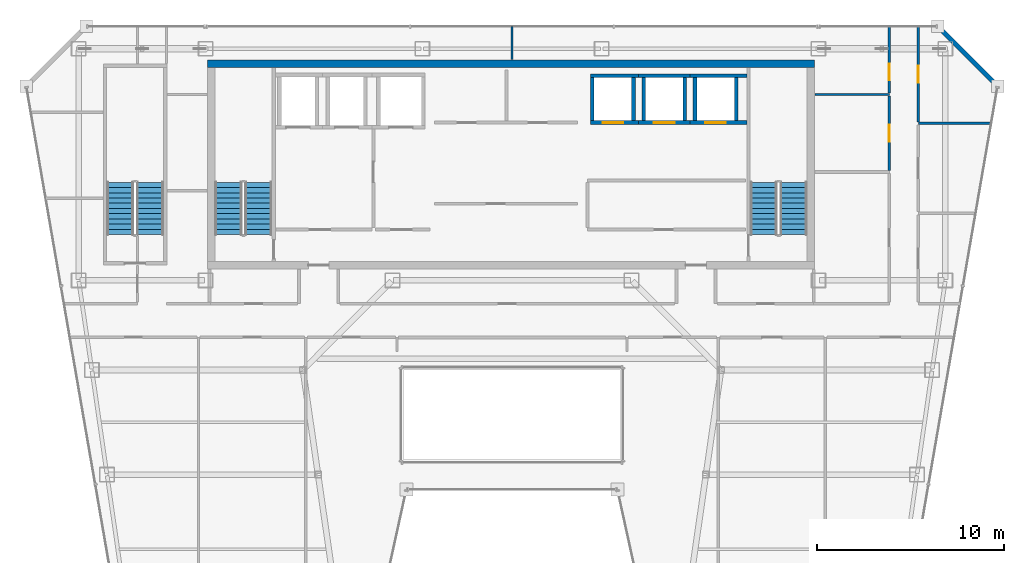
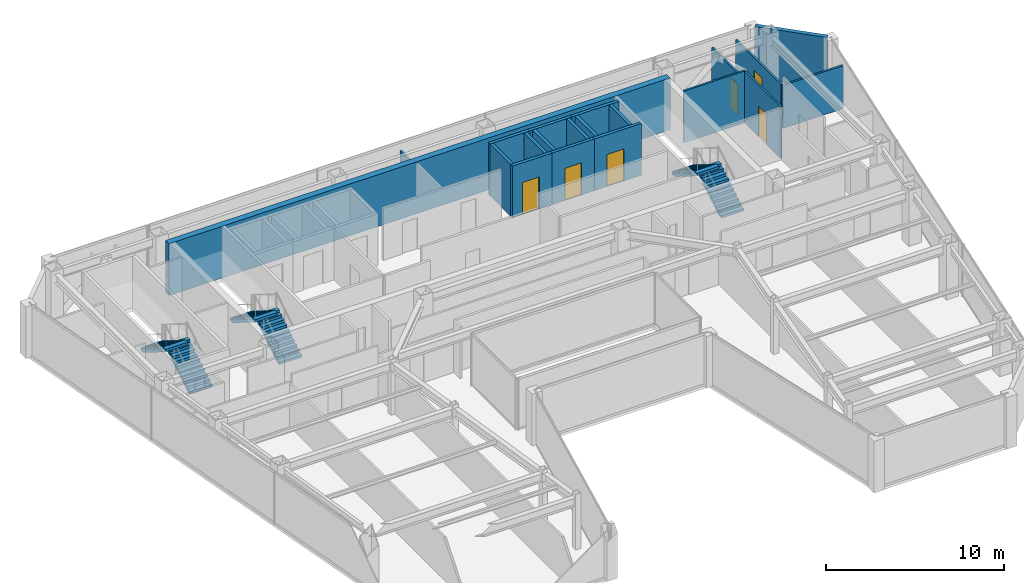
# One storey, part 28 of 32: 20 walls, 6 doors, 6 stair flights, 6 openings, 3 elements without a shape of their own.
"""IFC4 building model written with IfcOpenShell, lengths in metres."""

import ifcopenshell
import ifcopenshell.guid

model = None  # the IFC model being written
_history = None  # IfcOwnerHistory: only IFC2X3 demands one
_inside = {}  # id of a spatial element -> (the spatial element, [elements in it])
_under = {}  # id of a project, library or spatial element -> (it, [spatial elements below it])
_declared = {}  # id of a project -> (the project, [libraries it declares])
_typed = {}  # id of a type object -> (the type object, [elements of that type])
_made_of = {}  # id of a material, layer set ... -> (it, [elements and type objects made of it])


def new_model(schema):
    """Start an empty IFC model of exactly this schema.

    Asked for "IFC4X3", IfcOpenShell would pick the latest addendum, in which some entities
    have other attributes; the version numbers below select the first issue.
    IFC2X3 requires an IfcOwnerHistory on every rooted entity: one is made here for all.
    """
    global model, _history
    if schema == "IFC4X3":
        model = ifcopenshell.file(schema_version=(4, 3, 0, 0))
    else:
        model = ifcopenshell.file(schema=schema)
    _inside.clear()
    _under.clear()
    _declared.clear()
    _typed.clear()
    _made_of.clear()
    _history = None
    if model.schema == "IFC2X3":
        org = make("IfcOrganization", Name="unknown")
        user = make(
            "IfcPersonAndOrganization",
            ThePerson=make("IfcPerson", FamilyName="unknown"),
            TheOrganization=org,
        )
        app = make(
            "IfcApplication",
            ApplicationDeveloper=org,
            Version="unknown",
            ApplicationFullName="unknown",
            ApplicationIdentifier="unknown",
        )
        _history = make(
            "IfcOwnerHistory",
            OwningUser=user,
            OwningApplication=app,
            ChangeAction="ADDED",
            CreationDate=0,
        )
    return model


def make(cls, **values):
    """One entity of the class cls with the attributes given. An attribute that is None is left unset."""
    return model.create_entity(
        cls, **{name: value for name, value in values.items() if value is not None}
    )


def rooted(cls, **values):
    """An entity with a GlobalId (a new one), such as an element, a storey or a relation."""
    return make(cls, GlobalId=ifcopenshell.guid.new(), OwnerHistory=_history, **values)


def si_unit(unit_type, name, prefix=None):
    """IfcSIUnit, for example si_unit("LENGTHUNIT", "METRE", prefix="MILLI")."""
    return make("IfcSIUnit", UnitType=unit_type, Prefix=prefix, Name=name)


def assignment(units):
    """IfcUnitAssignment: the units of a project."""
    return None if units is None else make("IfcUnitAssignment", Units=units)


def point(xyz):
    """IfcCartesianPoint."""
    return None if xyz is None else make("IfcCartesianPoint", Coordinates=xyz)


def direction(xyz):
    """IfcDirection."""
    return None if xyz is None else make("IfcDirection", DirectionRatios=xyz)


def frame(location, z_axis=None, x_axis=None):
    """IfcAxis2Placement3D, a coordinate frame: its origin and axes. An axis left out is left unset."""
    return make(
        "IfcAxis2Placement3D",
        Location=point(location),
        Axis=direction(z_axis),
        RefDirection=direction(x_axis),
    )


def frame_2d(location, x_axis=None):
    """IfcAxis2Placement2D, a coordinate frame in the plane: its origin and x axis."""
    return make(
        "IfcAxis2Placement2D", Location=point(location), RefDirection=direction(x_axis)
    )


def origin():
    """The frame at (0, 0, 0) with its axes left unset."""
    return frame((0.0, 0.0, 0.0))


def place(relative_to, where):
    """IfcLocalPlacement: puts the frame where relative to a parent placement (None: the world)."""
    return make(
        "IfcLocalPlacement", PlacementRelTo=relative_to, RelativePlacement=where
    )


def context(
    kind, dimensions, precision=None, world=None, true_north=None, identifier=None
):
    """IfcGeometricRepresentationContext, for example the 3D "Model" context."""
    return make(
        "IfcGeometricRepresentationContext",
        ContextIdentifier=identifier,
        ContextType=kind,
        CoordinateSpaceDimension=dimensions,
        Precision=precision,
        WorldCoordinateSystem=world,
        TrueNorth=true_north,
    )


def subcontext(parent, identifier, kind, view, scale=None):
    """IfcGeometricRepresentationSubContext, for example "Body" below "Model"."""
    return make(
        "IfcGeometricRepresentationSubContext",
        ContextIdentifier=identifier,
        ContextType=kind,
        ParentContext=parent,
        TargetScale=scale,
        TargetView=view,
    )


def project(units=None, contexts=None):
    """IfcProject with its units and contexts."""
    return rooted(
        "IfcProject",
        Name="project",
        RepresentationContexts=contexts,
        UnitsInContext=assignment(units),
    )


def spatial(cls, under=None, at=None, **own):
    """A site, building, storey or space (cls), placed at a placement, below another one or the project."""
    s = rooted(cls, ObjectPlacement=at, **own)
    if under is not None:
        _under.setdefault(under.id(), (under, []))[1].append(s)
    return s


def polyline(points):
    """IfcPolyline through the points."""
    return make("IfcPolyline", Points=[point(p) for p in points])


def profile(cls, at=None, kind="AREA", **sizes):
    """A parametric profile (cls). Its sizes go by their IFC names, for example OverallWidth=200.0."""
    return make(cls, ProfileType=kind, Position=at, **sizes)


def rectangle(**sizes):
    """IfcRectangleProfileDef."""
    return profile("IfcRectangleProfileDef", **sizes)


def outline(outer, holes=None, kind="AREA"):
    """IfcArbitraryClosedProfileDef: a profile drawn as a closed curve; with holes, ...WithVoids."""
    if holes is None:
        return make("IfcArbitraryClosedProfileDef", ProfileType=kind, OuterCurve=outer)
    return make(
        "IfcArbitraryProfileDefWithVoids",
        ProfileType=kind,
        OuterCurve=outer,
        InnerCurves=holes,
    )


def extrude(swept, where, along, depth):
    """IfcExtrudedAreaSolid: the profile swept, set in the frame where, extruded along a direction by depth."""
    return make(
        "IfcExtrudedAreaSolid",
        SweptArea=swept,
        Position=where,
        ExtrudedDirection=direction(along),
        Depth=depth,
    )


def shape(context_of_items, identifier, shape_type, items):
    """IfcShapeRepresentation: the items that make up one representation, for example the "Body"."""
    return make(
        "IfcShapeRepresentation",
        ContextOfItems=context_of_items,
        RepresentationIdentifier=identifier,
        RepresentationType=shape_type,
        Items=items,
    )


def material(Name=None, Category=None):
    """IfcMaterial."""
    return make("IfcMaterial", Name=Name, Category=Category)


def layer(
    of_material, thickness, ventilated=None, Name=None, Category=None, Priority=None
):
    """IfcMaterialLayer: one layer of a wall or slab, of a material (None: an air gap)."""
    return make(
        "IfcMaterialLayer",
        Material=of_material,
        LayerThickness=thickness,
        IsVentilated=ventilated,
        Name=Name,
        Category=Category,
        Priority=Priority,
    )


def layer_set(layers, Name=None):
    """IfcMaterialLayerSet."""
    return make("IfcMaterialLayerSet", MaterialLayers=layers, LayerSetName=Name)


def made_of(thing, what):
    """Note that an element or type object is made of a material, layer set ...; save() writes the relation."""
    if what is not None:
        _made_of.setdefault(what.id(), (what, []))[1].append(thing)
    return thing


def type_object(cls, material=None, **own):
    """A type object (cls), such as IfcWallType, which elements share."""
    return made_of(rooted(cls, **own), material)


def element(
    cls,
    number,
    at=None,
    inside=None,
    cuts=None,
    type_object=None,
    material=None,
    context=None,
    identifier="Body",
    shape_type=None,
    held_by="IfcProductDefinitionShape",
    body=None,
    shapes=None,
    **own,
):
    """One element of the class cls, such as IfcWall. Its Tag is "e" and its number.

    at: its placement. inside: the storey or other place that contains it. cuts: it is an
    opening in that element (IfcRelVoidsElement). A single representation is given by context,
    identifier, shape_type and body (its items); several are given by shapes. held_by: the class
    of the entity that holds the representations. save() writes the other relations.
    """
    e = rooted(cls, Tag="e%d" % number, ObjectPlacement=at, **own)
    if body is not None:
        shapes = [shape(context, identifier, shape_type, body)]
    if shapes is not None:
        e.Representation = make(held_by, Representations=shapes)
    if inside is not None:
        _inside.setdefault(inside.id(), (inside, []))[1].append(e)
    if cuts is not None:
        rooted(
            "IfcRelVoidsElement", RelatingBuildingElement=cuts, RelatedOpeningElement=e
        )
    if type_object is not None:
        _typed.setdefault(type_object.id(), (type_object, []))[1].append(e)
    return made_of(e, material)


def fill(opening, filler):
    """IfcRelFillsElement: the door or window that sits in an opening."""
    return rooted(
        "IfcRelFillsElement",
        RelatingOpeningElement=opening,
        RelatedBuildingElement=filler,
    )


def aggregate(whole, parts):
    """IfcRelAggregates: a whole, such as a stair, and the parts it consists of."""
    return rooted("IfcRelAggregates", RelatingObject=whole, RelatedObjects=parts)


def save(model, path):
    """Write the relations noted so far, then the file.

    IfcRelAggregates (storeys below a building ...), IfcRelContainedInSpatialStructure (elements
    in a storey), IfcRelDefinesByType, IfcRelAssociatesMaterial and IfcRelDeclares: one each for
    every whole, place, type object, material and project.
    """
    for whole, parts in _under.values():
        aggregate(whole, parts)
    for where, things in _inside.values():
        rooted(
            "IfcRelContainedInSpatialStructure",
            RelatedElements=things,
            RelatingStructure=where,
        )
    for kind, things in _typed.values():
        rooted("IfcRelDefinesByType", RelatedObjects=things, RelatingType=kind)
    for what, things in _made_of.values():
        rooted("IfcRelAssociatesMaterial", RelatedObjects=things, RelatingMaterial=what)
    for by, libraries in _declared.values():
        rooted("IfcRelDeclares", RelatingContext=by, RelatedDefinitions=libraries)
    model.write(path)


model = new_model("IFC4")

# Units and contexts
model_context = context("Model", 3, precision=1e-05, world=origin(), true_north=direction((0.0, 1.0)))
body_context = subcontext(model_context, "Body", "Model", "MODEL_VIEW")
ifc_project = project(units=[si_unit("LENGTHUNIT", "METRE"), si_unit("AREAUNIT", "SQUARE_METRE"), si_unit("VOLUMEUNIT", "CUBIC_METRE"), si_unit("PLANEANGLEUNIT", "RADIAN"), si_unit("MASSUNIT", "GRAM", prefix="KILO")], contexts=[model_context])

# Site, building, storey
site_placement = place(None, origin())
site = spatial("IfcSite", under=ifc_project, at=site_placement, CompositionType="ELEMENT")
building_placement = place(site_placement, origin())
building = spatial("IfcBuilding", under=site, at=building_placement, Name="Saevonmaru Cultural Tower", CompositionType="ELEMENT")
storey_placement = place(building_placement, frame((0.0, 0.0, 242.0)))
storey = spatial("IfcBuildingStorey", under=building, at=storey_placement, Name="L56", CompositionType="ELEMENT", Elevation=242.0)

# Walls
ifc_material_1 = material(Name="Concrete C50/60", Category="concrete")
ifc_layer_1 = layer(ifc_material_1, 0.39990234375, Name="Concrete C50/60")
ifc_layer_set_1 = layer_set([ifc_layer_1], Name="Concrete C50/60")
wall_type_1 = type_object("IfcWallType", Name="WL-CORE-400", PredefinedType="SHEAR", material=ifc_layer_set_1)
wall_1_placement = place(storey_placement, frame((13.699951171875, 54.0, 0.0), z_axis=(0.0, 0.0, 1.0), x_axis=(1.0, 0.0, 0.0)))
element("IfcWall", 1, at=wall_1_placement, inside=storey, type_object=wall_type_1, Name="L56 Tower RC core shear wall N", PredefinedType="SHEAR", context=body_context, shape_type="SweptSolid", body=[
    extrude(rectangle(XDim=32.5, YDim=0.39990234375, at=frame_2d((16.25, 0.0))), origin(), (0.0, 0.0, 1.0), 3.550048828125),
])
ifc_material_2 = material(Name="Granite-Clad Precast Concrete C40/50", Category="masonry")
ifc_layer_2 = layer(ifc_material_2, 0.260009765625, Name="Granite-Clad Precast Concrete C40/50")
ifc_layer_set_2 = layer_set([ifc_layer_2], Name="Granite-Clad Precast Concrete C40/50")
wall_type_2 = type_object("IfcWallType", Name="WL-EXT-SPANDREL-260", PredefinedType="STANDARD", material=ifc_layer_set_2)
wall_2_placement = place(storey_placement, frame((55.886962890625, 52.9130859375, 0.0), z_axis=(0.0, 0.0, 1.0), x_axis=(-0.707106781187, 0.707106781187, 0.0)))
element("IfcWall", 2, at=wall_2_placement, inside=storey, type_object=wall_type_2, Name="L56 Chamfer Corner Spandrel Wall E9", PredefinedType="STANDARD", context=body_context, shape_type="SweptSolid", body=[
    extrude(rectangle(XDim=4.205810546875, YDim=0.260009765625, at=frame_2d((2.10302734375, 0.0))), origin(), (0.0, 0.0, 1.0), 3.550048828125),
])
ifc_material_3 = material(Name="Gypsum Fireboard Partition", Category="gypsum")
ifc_layer_3 = layer(ifc_material_3, 0.1201171875, Name="Gypsum Fireboard Partition")
ifc_layer_set_3 = layer_set([ifc_layer_3], Name="Gypsum Fireboard Partition")
wall_type_3 = type_object("IfcWallType", Name="WL-PART-GYP-120", PredefinedType="PARTITIONING", material=ifc_layer_set_3)
wall_3_placement = place(storey_placement, frame((46.219970703125, 52.35009765625, 0.0), z_axis=(0.0, 0.0, 1.0), x_axis=(1.0, 0.0, 0.0)))
element("IfcWall", 3, at=wall_3_placement, inside=storey, type_object=wall_type_3, Name="L56 North-East Panorama South Wall", PredefinedType="PARTITIONING", context=body_context, shape_type="SweptSolid", body=[
    extrude(rectangle(XDim=3.97998046875, YDim=0.1201171875, at=frame_2d((1.989990234375, 0.0))), origin(), (0.0, 0.0, 1.0), 3.550048828125),
])
wall_4_placement = place(storey_placement, frame((30.0, 54.219970703125, 0.0), z_axis=(0.0, 0.0, 1.0), x_axis=(0.0, 1.0, 0.0)))
element("IfcWall", 4, at=wall_4_placement, inside=storey, type_object=wall_type_3, Name="L56 North Panorama Center Split", PredefinedType="PARTITIONING", context=body_context, shape_type="SweptSolid", body=[
    extrude(rectangle(XDim=1.775146484375, YDim=0.1201171875, at=frame_2d((0.8876953125, 0.0))), origin(), (0.0, 0.0, 1.0), 2.93505859375),
])

# Wall, opening, door
wall_5_placement = place(storey_placement, frame((50.199951171875, 48.2900390625, 0.0), z_axis=(0.0, 0.0, 1.0), x_axis=(0.0, 1.0, 0.0)))
wall_5 = element("IfcWall", 5, at=wall_5_placement, inside=storey, type_object=wall_type_3, Name="L56 Urban Design Meeting Room Corridor Wall", PredefinedType="PARTITIONING", context=body_context, shape_type="SweptSolid", body=[
    extrude(rectangle(XDim=3.97998046875, YDim=0.1201171875, at=frame_2d((1.989990234375, 0.0))), origin(), (0.0, 0.0, 1.0), 3.550048828125),
])
opening_1_placement = place(wall_5_placement, frame((1.5400390625, 0.0, 0.0)))
opening_1 = element("IfcOpeningElement", 6, at=opening_1_placement, cuts=wall_5, Name="Opening ID-2", PredefinedType="OPENING", context=body_context, shape_type="SweptSolid", body=[
    extrude(rectangle(XDim=0.89990234375, YDim=2.10009765625, at=frame_2d((0.449951171875, 1.050048828125))), frame((0.0, 0.070068359375, 0.0), z_axis=(0.0, -1.0, 0.0), x_axis=(1.0, 0.0, 0.0)), (0.0, 0.0, 1.0), 0.14013671875),
])
ifc_material_4 = material(Name="Acoustic Stained Oak Timber", Category="wood")
door_type_1 = type_object("IfcDoorType", Name="DR-INT-900", OperationType="SINGLE_SWING_RIGHT", PredefinedType="DOOR", material=ifc_material_4)
door_1_placement = place(opening_1_placement, origin())
door_1 = element("IfcDoor", 7, at=door_1_placement, inside=storey, type_object=door_type_1, Name="L56 Urban Design Meeting Room Door", OperationType="SINGLE_SWING_LEFT", OverallHeight=2.10009765625, OverallWidth=0.89990234375, PredefinedType="DOOR", context=body_context, shape_type="SweptSolid", body=[
    extrude(rectangle(XDim=0.89990234375, YDim=2.10009765625, at=frame_2d((0.449951171875, 1.050048828125))), frame((0.0, 0.02490234375, 0.0), z_axis=(0.0, -1.0, 0.0), x_axis=(1.0, 0.0, 0.0)), (0.0, 0.0, 1.0), 0.050048828125),
])
fill(opening_1, door_1)

wall_6_placement = place(storey_placement, frame((50.199951171875, 52.429931640625, 0.0), z_axis=(0.0, 0.0, 1.0), x_axis=(0.0, 1.0, 0.0)))
wall_6 = element("IfcWall", 8, at=wall_6_placement, inside=storey, type_object=wall_type_3, Name="L56 Curatorial Board Meeting Room Corridor Wall", PredefinedType="PARTITIONING", context=body_context, shape_type="SweptSolid", body=[
    extrude(rectangle(XDim=3.565185546875, YDim=0.1201171875, at=frame_2d((1.78271484375, 0.0))), origin(), (0.0, 0.0, 1.0), 2.93505859375),
])
opening_2_placement = place(wall_6_placement, frame((0.672119140625, 0.0, 0.0)))
opening_2 = element("IfcOpeningElement", 9, at=opening_2_placement, cuts=wall_6, Name="Opening ID-2", PredefinedType="OPENING", context=body_context, shape_type="SweptSolid", body=[
    extrude(rectangle(XDim=0.89990234375, YDim=2.10009765625, at=frame_2d((0.449951171875, 1.050048828125))), frame((0.0, 0.070068359375, 0.0), z_axis=(0.0, -1.0, 0.0), x_axis=(1.0, 0.0, 0.0)), (0.0, 0.0, 1.0), 0.14013671875),
])
door_2_placement = place(opening_2_placement, origin())
door_2 = element("IfcDoor", 10, at=door_2_placement, inside=storey, type_object=door_type_1, Name="L56 Curatorial Board Meeting Room Door", OperationType="SINGLE_SWING_RIGHT", OverallHeight=2.10009765625, OverallWidth=0.89990234375, PredefinedType="DOOR", context=body_context, shape_type="SweptSolid", body=[
    extrude(rectangle(XDim=0.89990234375, YDim=2.10009765625, at=frame_2d((0.449951171875, 1.050048828125))), frame((0.0, 0.02490234375, 0.0), z_axis=(0.0, -1.0, 0.0), x_axis=(1.0, 0.0, 0.0)), (0.0, 0.0, 1.0), 0.050048828125),
])
fill(opening_2, door_2)

wall_7_placement = place(storey_placement, frame((51.75, 50.887451171875, 0.0), z_axis=(0.0, 0.0, 1.0), x_axis=(0.0, 1.0, 0.0)))
wall_7 = element("IfcWall", 11, at=wall_7_placement, inside=storey, type_object=wall_type_3, Name="L56 Translation Research Office Corridor Wall", PredefinedType="PARTITIONING", context=body_context, shape_type="SweptSolid", body=[
    extrude(rectangle(XDim=5.107666015625, YDim=0.1201171875, at=frame_2d((2.5537109375, 0.0))), origin(), (0.0, 0.0, 1.0), 2.93505859375),
])
opening_3_placement = place(wall_7_placement, frame((2.10400390625, 0.0, 0.0)))
opening_3 = element("IfcOpeningElement", 12, at=opening_3_placement, cuts=wall_7, Name="Opening ID-2", PredefinedType="OPENING", context=body_context, shape_type="SweptSolid", body=[
    extrude(rectangle(XDim=0.89990234375, YDim=2.10009765625, at=frame_2d((0.449951171875, 1.050048828125))), frame((0.0, 0.070068359375, 0.0), z_axis=(0.0, -1.0, 0.0), x_axis=(1.0, 0.0, 0.0)), (0.0, 0.0, 1.0), 0.14013671875),
])
door_3_placement = place(opening_3_placement, origin())
door_3 = element("IfcDoor", 13, at=door_3_placement, inside=storey, type_object=door_type_1, Name="L56 Translation Research Office Door", OperationType="SINGLE_SWING_RIGHT", OverallHeight=2.10009765625, OverallWidth=0.89990234375, PredefinedType="DOOR", context=body_context, shape_type="SweptSolid", body=[
    extrude(rectangle(XDim=0.89990234375, YDim=2.10009765625, at=frame_2d((0.449951171875, 1.050048828125))), frame((0.0, 0.02490234375, 0.0), z_axis=(0.0, -1.0, 0.0), x_axis=(1.0, 0.0, 0.0)), (0.0, 0.0, 1.0), 0.050048828125),
])
fill(opening_3, door_3)

# Wall
ifc_layer_4 = layer(ifc_material_3, 0.135009765625, Name="Gypsum Fireboard Partition")
ifc_layer_set_4 = layer_set([ifc_layer_4], Name="Gypsum Fireboard Partition")
wall_type_4 = type_object("IfcWallType", Name="WL-PART-GYP-135", PredefinedType="PARTITIONING", material=ifc_layer_set_4)
wall_8_placement = place(storey_placement, frame((51.75, 50.800048828125, 0.0), z_axis=(0.0, 0.0, 1.0), x_axis=(1.0, 0.0, 0.0)))
element("IfcWall", 14, at=wall_8_placement, inside=storey, type_object=wall_type_4, Name="L56 NE Studio Divider 2", PredefinedType="PARTITIONING", context=body_context, shape_type="SweptSolid", body=[
    extrude(rectangle(XDim=3.898193359375, YDim=0.135009765625, at=frame_2d((1.94921875, 0.0))), origin(), (0.0, 0.0, 1.0), 2.947021484375),
])

# Wall, opening, door
ifc_material_5 = material(Name="Concrete C40/50", Category="concrete")
ifc_layer_5 = layer(ifc_material_5, 0.199951171875, Name="Concrete C40/50")
ifc_layer_set_5 = layer_set([ifc_layer_5], Name="Concrete C40/50")
wall_type_5 = type_object("IfcWallType", Name="WL-SHAFT-200", PredefinedType="SHEAR", material=ifc_layer_set_5)
wall_9_placement = place(storey_placement, frame((34.199951171875, 50.85009765625, 0.0), z_axis=(0.0, 0.0, 1.0), x_axis=(1.0, 0.0, 0.0)))
wall_9 = element("IfcWall", 15, at=wall_9_placement, inside=storey, type_object=wall_type_5, Name="L56 Lift PL-H1 Hoistway Wall S", PredefinedType="SHEAR", context=body_context, shape_type="SweptSolid", body=[
    extrude(rectangle(XDim=2.574951171875, YDim=0.199951171875, at=frame_2d((1.28759765625, 0.0))), origin(), (0.0, 0.0, 1.0), 3.550048828125),
])
opening_4_placement = place(wall_9_placement, frame((0.64990234375, 0.0, 0.0)))
opening_4 = element("IfcOpeningElement", 16, at=opening_4_placement, cuts=wall_9, Name="Opening LD-1", PredefinedType="OPENING", context=body_context, shape_type="SweptSolid", body=[
    extrude(rectangle(XDim=1.10009765625, YDim=2.199951171875, at=frame_2d((0.550048828125, 1.10009765625))), frame((0.0, 0.10986328125, 0.0), z_axis=(0.0, -1.0, 0.0), x_axis=(1.0, 0.0, 0.0)), (0.0, 0.0, 1.0), 0.219970703125),
])
ifc_material_6 = material(Name="Satin Bronze Stainless Steel", Category="steel")
door_type_2 = type_object("IfcDoorType", Name="DR-LIFT-1100", OperationType="SLIDING_TO_LEFT", PredefinedType="DOOR", material=ifc_material_6)
door_4_placement = place(opening_4_placement, origin())
door_4 = element("IfcDoor", 17, at=door_4_placement, inside=storey, type_object=door_type_2, Name="L56 Lift PL-H1 Sliding Landing Door", OperationType="SLIDING_TO_LEFT", OverallHeight=2.199951171875, OverallWidth=1.10009765625, PredefinedType="DOOR", context=body_context, shape_type="SweptSolid", body=[
    extrude(rectangle(XDim=1.10009765625, YDim=2.199951171875, at=frame_2d((0.550048828125, 1.10009765625))), frame((0.0, 0.02490234375, 0.0), z_axis=(0.0, -1.0, 0.0), x_axis=(1.0, 0.0, 0.0)), (0.0, 0.0, 1.0), 0.050048828125),
])
fill(opening_4, door_4)

# Walls
wall_10_placement = place(storey_placement, frame((34.199951171875, 53.35009765625, 0.0), z_axis=(0.0, 0.0, 1.0), x_axis=(1.0, 0.0, 0.0)))
element("IfcWall", 18, at=wall_10_placement, inside=storey, type_object=wall_type_5, Name="L56 Lift PL-H1 Hoistway Wall N", PredefinedType="SHEAR", context=body_context, shape_type="SweptSolid", body=[
    extrude(rectangle(XDim=2.574951171875, YDim=0.199951171875, at=frame_2d((1.28759765625, 0.0))), origin(), (0.0, 0.0, 1.0), 3.550048828125),
])
for number, where, z_axis, x_axis, name in (
    (19, (34.300048828125, 50.949951171875, 0.0), (0.0, 0.0, 1.0), (0.0, 1.0, 0.0), "L56 Lift PL-H1 Hoistway Wall W"),
    (20, (36.5, 50.949951171875, 0.0), (0.0, 0.0, 1.0), (0.0, 1.0, 0.0), "L56 Lift PL-H1 Hoistway Wall E"),
):
    element("IfcWall", number, at=place(storey_placement, frame(where, z_axis=z_axis, x_axis=x_axis)), inside=storey, type_object=wall_type_5, Name=name, PredefinedType="SHEAR", context=body_context, shape_type="SweptSolid", body=[
        extrude(rectangle(XDim=2.300048828125, YDim=0.199951171875, at=frame_2d((1.14990234375, 0.0))), origin(), (0.0, 0.0, 1.0), 3.550048828125),
    ])

# Wall, opening, door
wall_11_placement = place(storey_placement, frame((36.77490234375, 50.85009765625, 0.0), z_axis=(0.0, 0.0, 1.0), x_axis=(1.0, 0.0, 0.0)))
wall_11 = element("IfcWall", 21, at=wall_11_placement, inside=storey, type_object=wall_type_5, Name="L56 Lift PL-H2 Hoistway Wall S", PredefinedType="SHEAR", context=body_context, shape_type="SweptSolid", body=[
    extrude(rectangle(XDim=2.75, YDim=0.199951171875, at=frame_2d((1.375, 0.0))), origin(), (0.0, 0.0, 1.0), 3.550048828125),
])
opening_5_placement = place(wall_11_placement, frame((0.824951171875, 0.0, 0.0)))
opening_5 = element("IfcOpeningElement", 22, at=opening_5_placement, cuts=wall_11, Name="Opening LD-1", PredefinedType="OPENING", context=body_context, shape_type="SweptSolid", body=[
    extrude(rectangle(XDim=1.10009765625, YDim=2.199951171875, at=frame_2d((0.550048828125, 1.10009765625))), frame((0.0, 0.10986328125, 0.0), z_axis=(0.0, -1.0, 0.0), x_axis=(1.0, 0.0, 0.0)), (0.0, 0.0, 1.0), 0.219970703125),
])
door_5_placement = place(opening_5_placement, origin())
door_5 = element("IfcDoor", 23, at=door_5_placement, inside=storey, type_object=door_type_2, Name="L56 Lift PL-H2 Sliding Landing Door", OperationType="SLIDING_TO_LEFT", OverallHeight=2.199951171875, OverallWidth=1.10009765625, PredefinedType="DOOR", context=body_context, shape_type="SweptSolid", body=[
    extrude(rectangle(XDim=1.10009765625, YDim=2.199951171875, at=frame_2d((0.550048828125, 1.10009765625))), frame((0.0, 0.02490234375, 0.0), z_axis=(0.0, -1.0, 0.0), x_axis=(1.0, 0.0, 0.0)), (0.0, 0.0, 1.0), 0.050048828125),
])
fill(opening_5, door_5)

# Walls
wall_12_placement = place(storey_placement, frame((36.77490234375, 53.35009765625, 0.0), z_axis=(0.0, 0.0, 1.0), x_axis=(1.0, 0.0, 0.0)))
element("IfcWall", 24, at=wall_12_placement, inside=storey, type_object=wall_type_5, Name="L56 Lift PL-H2 Hoistway Wall N", PredefinedType="SHEAR", context=body_context, shape_type="SweptSolid", body=[
    extrude(rectangle(XDim=2.75, YDim=0.199951171875, at=frame_2d((1.375, 0.0))), origin(), (0.0, 0.0, 1.0), 3.550048828125),
])
for number, where, z_axis, x_axis, name in (
    (25, (37.050048828125, 50.949951171875, 0.0), (0.0, 0.0, 1.0), (0.0, 1.0, 0.0), "L56 Lift PL-H2 Hoistway Wall W"),
    (26, (39.25, 50.949951171875, 0.0), (0.0, 0.0, 1.0), (0.0, 1.0, 0.0), "L56 Lift PL-H2 Hoistway Wall E"),
):
    element("IfcWall", number, at=place(storey_placement, frame(where, z_axis=z_axis, x_axis=x_axis)), inside=storey, type_object=wall_type_5, Name=name, PredefinedType="SHEAR", context=body_context, shape_type="SweptSolid", body=[
        extrude(rectangle(XDim=2.300048828125, YDim=0.199951171875, at=frame_2d((1.14990234375, 0.0))), origin(), (0.0, 0.0, 1.0), 3.550048828125),
    ])

# Wall, opening, door
wall_13_placement = place(storey_placement, frame((39.52490234375, 50.85009765625, 0.0), z_axis=(0.0, 0.0, 1.0), x_axis=(1.0, 0.0, 0.0)))
wall_13 = element("IfcWall", 27, at=wall_13_placement, inside=storey, type_object=wall_type_5, Name="L56 Lift PL-H3 Hoistway Wall S", PredefinedType="SHEAR", context=body_context, shape_type="SweptSolid", body=[
    extrude(rectangle(XDim=3.045166015625, YDim=0.199951171875, at=frame_2d((1.5224609375, 0.0))), origin(), (0.0, 0.0, 1.0), 3.550048828125),
])
opening_6_placement = place(wall_13_placement, frame((0.824951171875, 0.0, 0.0)))
opening_6 = element("IfcOpeningElement", 28, at=opening_6_placement, cuts=wall_13, Name="Opening LD-1", PredefinedType="OPENING", context=body_context, shape_type="SweptSolid", body=[
    extrude(rectangle(XDim=1.10009765625, YDim=2.199951171875, at=frame_2d((0.550048828125, 1.10009765625))), frame((0.0, 0.10986328125, 0.0), z_axis=(0.0, -1.0, 0.0), x_axis=(1.0, 0.0, 0.0)), (0.0, 0.0, 1.0), 0.219970703125),
])
door_6_placement = place(opening_6_placement, origin())
door_6 = element("IfcDoor", 29, at=door_6_placement, inside=storey, type_object=door_type_2, Name="L56 Lift PL-H3 Sliding Landing Door", OperationType="SLIDING_TO_LEFT", OverallHeight=2.199951171875, OverallWidth=1.10009765625, PredefinedType="DOOR", context=body_context, shape_type="SweptSolid", body=[
    extrude(rectangle(XDim=1.10009765625, YDim=2.199951171875, at=frame_2d((0.550048828125, 1.10009765625))), frame((0.0, 0.02490234375, 0.0), z_axis=(0.0, -1.0, 0.0), x_axis=(1.0, 0.0, 0.0)), (0.0, 0.0, 1.0), 0.050048828125),
])
fill(opening_6, door_6)

# Walls
wall_14_placement = place(storey_placement, frame((39.52490234375, 53.35009765625, 0.0), z_axis=(0.0, 0.0, 1.0), x_axis=(1.0, 0.0, 0.0)))
element("IfcWall", 30, at=wall_14_placement, inside=storey, type_object=wall_type_5, Name="L56 Lift PL-H3 Hoistway Wall N", PredefinedType="SHEAR", context=body_context, shape_type="SweptSolid", body=[
    extrude(rectangle(XDim=3.045166015625, YDim=0.199951171875, at=frame_2d((1.5224609375, 0.0))), origin(), (0.0, 0.0, 1.0), 3.550048828125),
])
for number, where, z_axis, x_axis, name in (
    (31, (39.800048828125, 50.949951171875, 0.0), (0.0, 0.0, 1.0), (0.0, 1.0, 0.0), "L56 Lift PL-H3 Hoistway Wall W"),
    (32, (42.0, 50.949951171875, 0.0), (0.0, 0.0, 1.0), (0.0, 1.0, 0.0), "L56 Lift PL-H3 Hoistway Wall E"),
):
    element("IfcWall", number, at=place(storey_placement, frame(where, z_axis=z_axis, x_axis=x_axis)), inside=storey, type_object=wall_type_5, Name=name, PredefinedType="SHEAR", context=body_context, shape_type="SweptSolid", body=[
        extrude(rectangle(XDim=2.300048828125, YDim=0.199951171875, at=frame_2d((1.14990234375, 0.0))), origin(), (0.0, 0.0, 1.0), 3.550048828125),
    ])

# Stair, stair flights
stair_type = type_object("IfcStairType", Name="STR-DOGLEG-RC", PredefinedType="HALF_TURN_STAIR", material=ifc_material_5)
stair_1_placement = place(storey_placement, origin())
stair_1 = element("IfcStair", 33, at=stair_1_placement, inside=storey, type_object=stair_type, Name="L56 Protected exit stair ST-1", PredefinedType="HALF_TURN_STAIR")
ifc_material_7 = material(Name="Precast concrete C40/50", Category="concrete")
stair_flight_type = type_object("IfcStairFlightType", Name="STF-PRECAST-180", PredefinedType="STRAIGHT", material=ifc_material_7)
stair_flight_1_placement = place(storey_placement, frame((16.425048828125, 44.85009765625, 0.0), z_axis=(0.0, 0.0, 1.0), x_axis=(0.0, 1.0, 0.0)))
stair_flight_1 = element("IfcStairFlight", 34, at=stair_flight_1_placement, type_object=stair_flight_type, Name="ST-1-L56 flight 1", NumberOfRisers=11, NumberOfTreads=10, PredefinedType="STRAIGHT", RiserHeight=0.172727273, TreadLength=0.28, context=body_context, shape_type="SweptSolid", body=[
    extrude(outline(polyline([(0.0, 0.0), (0.0, 0.172607421875), (0.280029296875, 0.172607421875), (0.280029296875, 0.345458984375), (0.56005859375, 0.345458984375), (0.56005859375, 0.51806640625), (0.840087890625, 0.51806640625), (0.840087890625, 0.69091796875), (1.1201171875, 0.69091796875), (1.1201171875, 0.863525390625), (1.39990234375, 0.863525390625), (1.39990234375, 1.036376953125), (1.679931640625, 1.036376953125), (1.679931640625, 1.208984375), (1.9599609375, 1.208984375), (1.9599609375, 1.3818359375), (2.239990234375, 1.3818359375), (2.239990234375, 1.554443359375), (2.52001953125, 1.554443359375), (2.52001953125, 1.727294921875), (2.800048828125, 1.727294921875), (2.800048828125, 1.89990234375), (2.800048828125, 1.551025390625), (0.285400390625, 0.0), (0.0, 0.0)])), frame((0.0, 0.72509765625, 0.0), z_axis=(0.0, -1.0, 0.0), x_axis=(1.0, 0.0, 0.0)), (0.0, 0.0, 1.0), 1.449951171875),
])
stair_flight_2_placement = place(storey_placement, frame((14.824951171875, 47.64990234375, 1.89990234375), z_axis=(0.0, 0.0, 1.0), x_axis=(0.0, -1.0, 0.0)))
stair_flight_2 = element("IfcStairFlight", 35, at=stair_flight_2_placement, type_object=stair_flight_type, Name="ST-1-L56 flight 2", NumberOfRisers=11, NumberOfTreads=10, PredefinedType="STRAIGHT", RiserHeight=0.172727273, TreadLength=0.28, context=body_context, shape_type="SweptSolid", body=[
    extrude(outline(polyline([(0.0, 0.0), (0.0, 0.172607421875), (0.280029296875, 0.172607421875), (0.280029296875, 0.345458984375), (0.56005859375, 0.345458984375), (0.56005859375, 0.51806640625), (0.840087890625, 0.51806640625), (0.840087890625, 0.69091796875), (1.1201171875, 0.69091796875), (1.1201171875, 0.863525390625), (1.39990234375, 0.863525390625), (1.39990234375, 1.036376953125), (1.679931640625, 1.036376953125), (1.679931640625, 1.208984375), (1.9599609375, 1.208984375), (1.9599609375, 1.3818359375), (2.239990234375, 1.3818359375), (2.239990234375, 1.554443359375), (2.52001953125, 1.554443359375), (2.52001953125, 1.727294921875), (2.800048828125, 1.727294921875), (2.800048828125, 1.89990234375), (2.800048828125, 1.551025390625), (0.285400390625, 0.0), (0.0, 0.0)])), frame((0.0, 0.72509765625, 0.0), z_axis=(0.0, -1.0, 0.0), x_axis=(1.0, 0.0, 0.0)), (0.0, 0.0, 1.0), 1.449951171875),
])
aggregate(stair_1, [stair_flight_1, stair_flight_2])

stair_2_placement = place(storey_placement, origin())
stair_2 = element("IfcStair", 36, at=stair_2_placement, inside=storey, type_object=stair_type, Name="L56 Protected exit stair ST-2", PredefinedType="HALF_TURN_STAIR")
stair_flight_3_placement = place(storey_placement, frame((45.074951171875, 44.85009765625, 0.0), z_axis=(0.0, 0.0, 1.0), x_axis=(0.0, 1.0, 0.0)))
stair_flight_3 = element("IfcStairFlight", 37, at=stair_flight_3_placement, type_object=stair_flight_type, Name="ST-2-L56 flight 1", NumberOfRisers=11, NumberOfTreads=10, PredefinedType="STRAIGHT", RiserHeight=0.172727273, TreadLength=0.28, context=body_context, shape_type="SweptSolid", body=[
    extrude(outline(polyline([(0.0, 0.0), (0.0, 0.172607421875), (0.280029296875, 0.172607421875), (0.280029296875, 0.345458984375), (0.56005859375, 0.345458984375), (0.56005859375, 0.51806640625), (0.840087890625, 0.51806640625), (0.840087890625, 0.69091796875), (1.1201171875, 0.69091796875), (1.1201171875, 0.863525390625), (1.39990234375, 0.863525390625), (1.39990234375, 1.036376953125), (1.679931640625, 1.036376953125), (1.679931640625, 1.208984375), (1.9599609375, 1.208984375), (1.9599609375, 1.3818359375), (2.239990234375, 1.3818359375), (2.239990234375, 1.554443359375), (2.52001953125, 1.554443359375), (2.52001953125, 1.727294921875), (2.800048828125, 1.727294921875), (2.800048828125, 1.89990234375), (2.800048828125, 1.551025390625), (0.285400390625, 0.0), (0.0, 0.0)])), frame((0.0, 0.72509765625, 0.0), z_axis=(0.0, -1.0, 0.0), x_axis=(1.0, 0.0, 0.0)), (0.0, 0.0, 1.0), 1.449951171875),
])
stair_flight_4_placement = place(storey_placement, frame((43.47509765625, 47.64990234375, 1.89990234375), z_axis=(0.0, 0.0, 1.0), x_axis=(0.0, -1.0, 0.0)))
stair_flight_4 = element("IfcStairFlight", 38, at=stair_flight_4_placement, type_object=stair_flight_type, Name="ST-2-L56 flight 2", NumberOfRisers=11, NumberOfTreads=10, PredefinedType="STRAIGHT", RiserHeight=0.172727273, TreadLength=0.28, context=body_context, shape_type="SweptSolid", body=[
    extrude(outline(polyline([(0.0, 0.0), (0.0, 0.172607421875), (0.280029296875, 0.172607421875), (0.280029296875, 0.345458984375), (0.56005859375, 0.345458984375), (0.56005859375, 0.51806640625), (0.840087890625, 0.51806640625), (0.840087890625, 0.69091796875), (1.1201171875, 0.69091796875), (1.1201171875, 0.863525390625), (1.39990234375, 0.863525390625), (1.39990234375, 1.036376953125), (1.679931640625, 1.036376953125), (1.679931640625, 1.208984375), (1.9599609375, 1.208984375), (1.9599609375, 1.3818359375), (2.239990234375, 1.3818359375), (2.239990234375, 1.554443359375), (2.52001953125, 1.554443359375), (2.52001953125, 1.727294921875), (2.800048828125, 1.727294921875), (2.800048828125, 1.89990234375), (2.800048828125, 1.551025390625), (0.285400390625, 0.0), (0.0, 0.0)])), frame((0.0, 0.72509765625, 0.0), z_axis=(0.0, -1.0, 0.0), x_axis=(1.0, 0.0, 0.0)), (0.0, 0.0, 1.0), 1.449951171875),
])
aggregate(stair_2, [stair_flight_3, stair_flight_4])

stair_3_placement = place(storey_placement, origin())
stair_3 = element("IfcStair", 39, at=stair_3_placement, inside=storey, type_object=stair_type, Name="L56 Protected exit stair ST-3", PredefinedType="HALF_TURN_STAIR")
stair_flight_5_placement = place(storey_placement, frame((10.625, 44.85009765625, 0.0), z_axis=(0.0, 0.0, 1.0), x_axis=(0.0, 1.0, 0.0)))
stair_flight_5 = element("IfcStairFlight", 40, at=stair_flight_5_placement, type_object=stair_flight_type, Name="ST-3-L56 flight 1", NumberOfRisers=11, NumberOfTreads=10, PredefinedType="STRAIGHT", RiserHeight=0.172727273, TreadLength=0.28, context=body_context, shape_type="SweptSolid", body=[
    extrude(outline(polyline([(0.0, 0.0), (0.0, 0.172607421875), (0.280029296875, 0.172607421875), (0.280029296875, 0.345458984375), (0.56005859375, 0.345458984375), (0.56005859375, 0.51806640625), (0.840087890625, 0.51806640625), (0.840087890625, 0.69091796875), (1.1201171875, 0.69091796875), (1.1201171875, 0.863525390625), (1.39990234375, 0.863525390625), (1.39990234375, 1.036376953125), (1.679931640625, 1.036376953125), (1.679931640625, 1.208984375), (1.9599609375, 1.208984375), (1.9599609375, 1.3818359375), (2.239990234375, 1.3818359375), (2.239990234375, 1.554443359375), (2.52001953125, 1.554443359375), (2.52001953125, 1.727294921875), (2.800048828125, 1.727294921875), (2.800048828125, 1.89990234375), (2.800048828125, 1.551025390625), (0.285400390625, 0.0), (0.0, 0.0)])), frame((0.0, 0.72509765625, 0.0), z_axis=(0.0, -1.0, 0.0), x_axis=(1.0, 0.0, 0.0)), (0.0, 0.0, 1.0), 1.449951171875),
])
stair_flight_6_placement = place(storey_placement, frame((9.02490234375, 47.64990234375, 1.89990234375), z_axis=(0.0, 0.0, 1.0), x_axis=(0.0, -1.0, 0.0)))
stair_flight_6 = element("IfcStairFlight", 41, at=stair_flight_6_placement, type_object=stair_flight_type, Name="ST-3-L56 flight 2", NumberOfRisers=11, NumberOfTreads=10, PredefinedType="STRAIGHT", RiserHeight=0.172727273, TreadLength=0.28, context=body_context, shape_type="SweptSolid", body=[
    extrude(outline(polyline([(0.0, 0.0), (0.0, 0.172607421875), (0.280029296875, 0.172607421875), (0.280029296875, 0.345458984375), (0.56005859375, 0.345458984375), (0.56005859375, 0.51806640625), (0.840087890625, 0.51806640625), (0.840087890625, 0.69091796875), (1.1201171875, 0.69091796875), (1.1201171875, 0.863525390625), (1.39990234375, 0.863525390625), (1.39990234375, 1.036376953125), (1.679931640625, 1.036376953125), (1.679931640625, 1.208984375), (1.9599609375, 1.208984375), (1.9599609375, 1.3818359375), (2.239990234375, 1.3818359375), (2.239990234375, 1.554443359375), (2.52001953125, 1.554443359375), (2.52001953125, 1.727294921875), (2.800048828125, 1.727294921875), (2.800048828125, 1.89990234375), (2.800048828125, 1.551025390625), (0.285400390625, 0.0), (0.0, 0.0)])), frame((0.0, 0.72509765625, 0.0), z_axis=(0.0, -1.0, 0.0), x_axis=(1.0, 0.0, 0.0)), (0.0, 0.0, 1.0), 1.449951171875),
])
aggregate(stair_3, [stair_flight_5, stair_flight_6])

save(model, "model.ifc")
